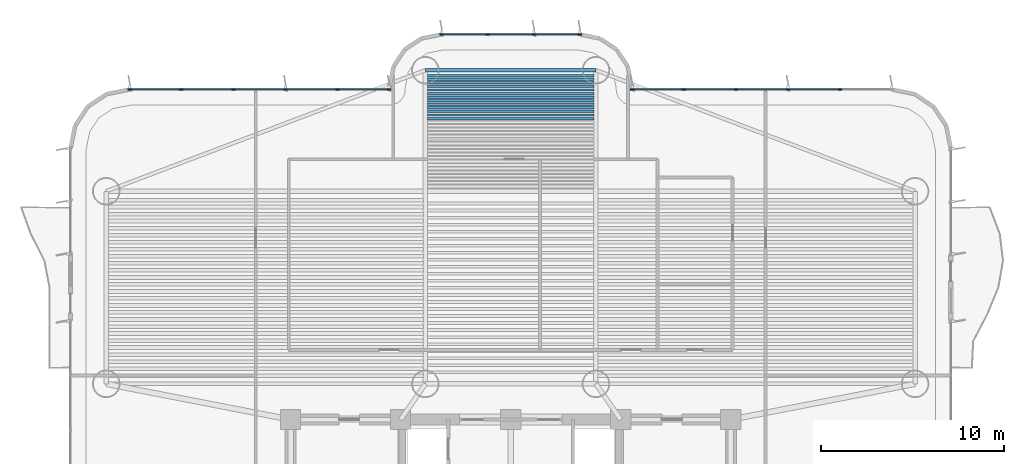
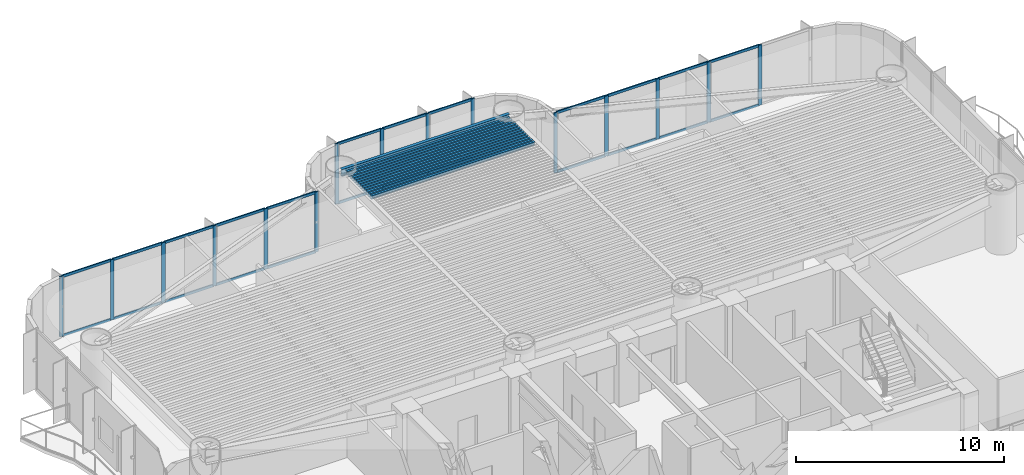
# One storey, part 7 of 16: 39 members, 14 beams, 3 elements without a shape of their own.
"""IFC4 building model written with IfcOpenShell, lengths in metres."""

from ifc_helpers import new_model, si_unit, direction, frame, origin, origin_2d, place, context, subcontext, project, spatial, rectangle, i_section, extrude, source, transform, mapped, material, layer, layer_set, material_profile, profile_set, type_object, element, aggregate, save


model = new_model("IFC4")

# Units and contexts
model_context = context("Model", 3, precision=1e-05, world=origin(), true_north=direction((0.0, 1.0)))
body_context = subcontext(model_context, "Body", "Model", "MODEL_VIEW")
ifc_project = project(units=[si_unit("LENGTHUNIT", "METRE"), si_unit("AREAUNIT", "SQUARE_METRE"), si_unit("VOLUMEUNIT", "CUBIC_METRE"), si_unit("PLANEANGLEUNIT", "RADIAN"), si_unit("MASSUNIT", "GRAM", prefix="KILO")], contexts=[model_context])

# Site, building, storey
site_placement = place(None, origin())
site = spatial("IfcSite", under=ifc_project, at=site_placement, CompositionType="ELEMENT")
building_placement = place(site_placement, origin())
building = spatial("IfcBuilding", under=site, at=building_placement, Name="Brelvock Crest Care Tower", CompositionType="ELEMENT")
storey_placement = place(building_placement, frame((0.0, 0.0, 61.02001953125)))
storey = spatial("IfcBuildingStorey", under=building, at=storey_placement, Name="L15", CompositionType="ELEMENT", Elevation=61.02001953125)

# Beams
ifc_material_1 = material(Name="Steel Grade 350", Category="steel")
ifc_material_profile_1 = material_profile(ifc_material_1, i_section(OverallWidth=0.177978515625, OverallDepth=0.406005859375, WebThickness=0.0078125, FlangeThickness=0.0126953125, FilletRadius=0.011474609375, at=origin_2d()), Name="410UB59.7")
ifc_profile_set_1 = profile_set([ifc_material_profile_1], Name="Steel Grade 350")
beam_type_1 = type_object("IfcBeamType", Name="BM-SP1", PredefinedType="SPANDREL", material=ifc_profile_set_1)
shared_shape_1 = source(origin(), body_context, "Body", "SweptSolid", [
    extrude(i_section(OverallWidth=0.177978515625, OverallDepth=0.406005859375, WebThickness=0.0078125, FlangeThickness=0.0126953125, FilletRadius=0.011474609375, at=origin_2d()), origin(), (0.0, 0.0, 1.0), 9.2998046875),
])
beam_placement = place(storey_placement, frame((31.35009765625, 37.050048828125, 3.326904296875), z_axis=(1.0, 0.0, 0.0), x_axis=(0.0, 1.0, 0.0)))
element("IfcBeam", 1, at=beam_placement, inside=storey, type_object=beam_type_1, Name="BM-TWR-L15-08", PredefinedType="SPANDREL", context=body_context, shape_type="MappedRepresentation", body=[
    mapped(shared_shape_1, transform((0.0, 0.0, 0.0), x_axis=(1.0, 0.0, 0.0), y_axis=(0.0, 1.0, 0.0), z_axis=(0.0, 0.0, 1.0), scale=1.0)),
])
ifc_material_profile_2 = material_profile(ifc_material_1, i_section(OverallWidth=0.134033203125, OverallDepth=0.20703125, WebThickness=0.00634765625, FlangeThickness=0.009521484375, FilletRadius=0.0087890625, at=origin_2d()), Name="200UB29.8")
ifc_profile_set_2 = profile_set([ifc_material_profile_2], Name="Steel Grade 350")
beam_type_2 = type_object("IfcBeamType", Name="BM-J4", PredefinedType="JOIST", material=ifc_profile_set_2)
shared_shape_2 = source(origin(), body_context, "Body", "SweptSolid", [
    extrude(i_section(OverallWidth=0.134033203125, OverallDepth=0.20703125, WebThickness=0.00634765625, FlangeThickness=0.009521484375, FilletRadius=0.0087890625, at=origin_2d()), origin(), (0.0, 0.0, 1.0), 9.06982421875),
])
for number, where, z_axis, x_axis, name in (
    (2, (31.465087890625, 34.413330078125, 3.426513671875), (1.0, 0.0, 0.0), (0.0, 1.0, 0.0), "BM-JN-L15-20"),
    (3, (31.465087890625, 34.60791015625, 3.426513671875), (1.0, 0.0, 0.0), (0.0, 1.0, 0.0), "BM-JN-L15-21"),
    (4, (31.465087890625, 34.802734375, 3.426513671875), (1.0, 0.0, 0.0), (0.0, 1.0, 0.0), "BM-JN-L15-22"),
    (5, (31.465087890625, 34.997314453125, 3.426513671875), (1.0, 0.0, 0.0), (0.0, 1.0, 0.0), "BM-JN-L15-23"),
    (6, (31.465087890625, 35.192138671875, 3.426513671875), (1.0, 0.0, 0.0), (0.0, 1.0, 0.0), "BM-JN-L15-24"),
    (7, (31.465087890625, 35.38671875, 3.426513671875), (1.0, 0.0, 0.0), (0.0, 1.0, 0.0), "BM-JN-L15-25"),
    (8, (31.465087890625, 35.58154296875, 3.426513671875), (1.0, 0.0, 0.0), (0.0, 1.0, 0.0), "BM-JN-L15-26"),
    (9, (31.465087890625, 35.776123046875, 3.426513671875), (1.0, 0.0, 0.0), (0.0, 1.0, 0.0), "BM-JN-L15-27"),
    (10, (31.465087890625, 35.970947265625, 3.426513671875), (1.0, 0.0, 0.0), (0.0, 1.0, 0.0), "BM-JN-L15-28"),
    (11, (31.465087890625, 36.16552734375, 3.426513671875), (1.0, 0.0, 0.0), (0.0, 1.0, 0.0), "BM-JN-L15-29"),
    (12, (31.465087890625, 36.3603515625, 3.426513671875), (1.0, 0.0, 0.0), (0.0, 1.0, 0.0), "BM-JN-L15-30"),
    (13, (31.465087890625, 36.554931640625, 3.426513671875), (1.0, 0.0, 0.0), (0.0, 1.0, 0.0), "BM-JN-L15-31"),
    (14, (31.465087890625, 36.749755859375, 3.426513671875), (1.0, 0.0, 0.0), (0.0, 1.0, 0.0), "BM-JN-L15-32"),
):
    element("IfcBeam", number, at=place(storey_placement, frame(where, z_axis=z_axis, x_axis=x_axis)), inside=storey, type_object=beam_type_2, Name=name, PredefinedType="JOIST", context=body_context, shape_type="MappedRepresentation", body=[
        mapped(shared_shape_2, transform((0.0, 0.0, 0.0), x_axis=(1.0, 0.0, 0.0), y_axis=(0.0, 1.0, 0.0), z_axis=(0.0, 0.0, 1.0), scale=1.0)),
    ])

# Curtain wall, members
ifc_material_2 = material(Name="Dark Glass Double Glazed Low-E", Category="glass")
ifc_layer = layer(ifc_material_2, 0.195068359375, Name="CWS-2")
ifc_layer_set = layer_set([ifc_layer], Name="Dark Glass Double Glazed Low-E")
curtain_wall_type = type_object("IfcCurtainWallType", Name="CWS-2", PredefinedType="NOTDEFINED", material=ifc_layer_set)
curtain_wall_1_placement = place(storey_placement, origin())
curtain_wall_1 = element("IfcCurtainWall", 15, at=curtain_wall_1_placement, inside=storey, type_object=curtain_wall_type, Name="L15 Curtain Wall E18", PredefinedType="NOTDEFINED")
ifc_material_3 = material(Name="Aluminium 6063-T6", Category="aluminium")
ifc_material_profile_3 = material_profile(ifc_material_3, rectangle(XDim=0.06494140625, YDim=0.199951171875, at=origin_2d()), Name="ALU65x200")
ifc_profile_set_3 = profile_set([ifc_material_profile_3], Name="Aluminium 6063-T6")
member_type_1 = type_object("IfcMemberType", Name="CWM-1", PredefinedType="MULLION", material=ifc_profile_set_3)
shared_shape_3 = source(origin(), body_context, "Body", "SweptSolid", [
    extrude(rectangle(XDim=0.06494140625, YDim=0.199951171875, at=origin_2d()), origin(), (0.0, 0.0, 1.0), 3.530029296875),
])
member_1_placement = place(storey_placement, frame((15.232421875, 36.0, 0.0), z_axis=(0.0, 0.0, 1.0), x_axis=(0.0, 1.0, 0.0)))
member_1 = element("IfcMember", 16, at=member_1_placement, type_object=member_type_1, Name="CW-2 mullion 1", PredefinedType="MULLION", context=body_context, shape_type="MappedRepresentation", body=[
    mapped(shared_shape_3, transform((0.0, 0.0, 0.0), x_axis=(1.0, 0.0, 0.0), y_axis=(0.0, 1.0, 0.0), z_axis=(0.0, 0.0, 1.0), scale=1.0)),
])
member_2_placement = place(storey_placement, frame((18.0400390625, 36.0, 0.0), z_axis=(0.0, 0.0, 1.0), x_axis=(0.0, 1.0, 0.0)))
member_2 = element("IfcMember", 17, at=member_2_placement, type_object=member_type_1, Name="CW-2 mullion 2", PredefinedType="MULLION", context=body_context, shape_type="MappedRepresentation", body=[
    mapped(shared_shape_3, transform((0.0, 0.0, 0.0), x_axis=(1.0, 0.0, 0.0), y_axis=(0.0, 1.0, 0.0), z_axis=(0.0, 0.0, 1.0), scale=1.0)),
])
member_3_placement = place(storey_placement, frame((20.8798828125, 36.0, 0.0), z_axis=(0.0, 0.0, 1.0), x_axis=(0.0, 1.0, 0.0)))
member_3 = element("IfcMember", 18, at=member_3_placement, type_object=member_type_1, Name="CW-2 mullion 3", PredefinedType="MULLION", context=body_context, shape_type="MappedRepresentation", body=[
    mapped(shared_shape_3, transform((0.0, 0.0, 0.0), x_axis=(1.0, 0.0, 0.0), y_axis=(0.0, 1.0, 0.0), z_axis=(0.0, 0.0, 1.0), scale=1.0)),
])
member_4_placement = place(storey_placement, frame((23.719970703125, 36.0, 0.0), z_axis=(0.0, 0.0, 1.0), x_axis=(0.0, 1.0, 0.0)))
member_4 = element("IfcMember", 19, at=member_4_placement, type_object=member_type_1, Name="CW-2 mullion 4", PredefinedType="MULLION", context=body_context, shape_type="MappedRepresentation", body=[
    mapped(shared_shape_3, transform((0.0, 0.0, 0.0), x_axis=(1.0, 0.0, 0.0), y_axis=(0.0, 1.0, 0.0), z_axis=(0.0, 0.0, 1.0), scale=1.0)),
])
member_5_placement = place(storey_placement, frame((26.56005859375, 36.0, 0.0), z_axis=(0.0, 0.0, 1.0), x_axis=(0.0, 1.0, 0.0)))
member_5 = element("IfcMember", 20, at=member_5_placement, type_object=member_type_1, Name="CW-2 mullion 5", PredefinedType="MULLION", context=body_context, shape_type="MappedRepresentation", body=[
    mapped(shared_shape_3, transform((0.0, 0.0, 0.0), x_axis=(1.0, 0.0, 0.0), y_axis=(0.0, 1.0, 0.0), z_axis=(0.0, 0.0, 1.0), scale=1.0)),
])
member_6_placement = place(storey_placement, frame((29.367431640625, 36.0, 0.0), z_axis=(0.0, 0.0, 1.0), x_axis=(0.0, 1.0, 0.0)))
member_6 = element("IfcMember", 21, at=member_6_placement, type_object=member_type_1, Name="CW-2 mullion 6", PredefinedType="MULLION", context=body_context, shape_type="MappedRepresentation", body=[
    mapped(shared_shape_3, transform((0.0, 0.0, 0.0), x_axis=(1.0, 0.0, 0.0), y_axis=(0.0, 1.0, 0.0), z_axis=(0.0, 0.0, 1.0), scale=1.0)),
])

curtain_wall_2_placement = place(storey_placement, origin())
curtain_wall_2 = element("IfcCurtainWall", 22, at=curtain_wall_2_placement, inside=storey, type_object=curtain_wall_type, Name="L15 Curtain Wall E24", PredefinedType="NOTDEFINED")
member_7_placement = place(storey_placement, frame((32.232421875, 39.0, 0.0), z_axis=(0.0, 0.0, 1.0), x_axis=(0.0, 1.0, 0.0)))
member_7 = element("IfcMember", 23, at=member_7_placement, type_object=member_type_1, Name="CW-2 mullion 1", PredefinedType="MULLION", context=body_context, shape_type="MappedRepresentation", body=[
    mapped(shared_shape_3, transform((0.0, 0.0, 0.0), x_axis=(1.0, 0.0, 0.0), y_axis=(0.0, 1.0, 0.0), z_axis=(0.0, 0.0, 1.0), scale=1.0)),
])
member_8_placement = place(storey_placement, frame((34.7333984375, 39.0, 0.0), z_axis=(0.0, 0.0, 1.0), x_axis=(0.0, 1.0, 0.0)))
member_8 = element("IfcMember", 24, at=member_8_placement, type_object=member_type_1, Name="CW-2 mullion 2", PredefinedType="MULLION", context=body_context, shape_type="MappedRepresentation", body=[
    mapped(shared_shape_3, transform((0.0, 0.0, 0.0), x_axis=(1.0, 0.0, 0.0), y_axis=(0.0, 1.0, 0.0), z_axis=(0.0, 0.0, 1.0), scale=1.0)),
])
member_9_placement = place(storey_placement, frame((37.2666015625, 39.0, 0.0), z_axis=(0.0, 0.0, 1.0), x_axis=(0.0, 1.0, 0.0)))
member_9 = element("IfcMember", 25, at=member_9_placement, type_object=member_type_1, Name="CW-2 mullion 3", PredefinedType="MULLION", context=body_context, shape_type="MappedRepresentation", body=[
    mapped(shared_shape_3, transform((0.0, 0.0, 0.0), x_axis=(1.0, 0.0, 0.0), y_axis=(0.0, 1.0, 0.0), z_axis=(0.0, 0.0, 1.0), scale=1.0)),
])
member_10_placement = place(storey_placement, frame((39.767578125, 39.0, 0.0), z_axis=(0.0, 0.0, 1.0), x_axis=(0.0, 1.0, 0.0)))
member_10 = element("IfcMember", 26, at=member_10_placement, type_object=member_type_1, Name="CW-2 mullion 4", PredefinedType="MULLION", context=body_context, shape_type="MappedRepresentation", body=[
    mapped(shared_shape_3, transform((0.0, 0.0, 0.0), x_axis=(1.0, 0.0, 0.0), y_axis=(0.0, 1.0, 0.0), z_axis=(0.0, 0.0, 1.0), scale=1.0)),
])

curtain_wall_3_placement = place(storey_placement, origin())
curtain_wall_3 = element("IfcCurtainWall", 27, at=curtain_wall_3_placement, inside=storey, type_object=curtain_wall_type, Name="L15 Curtain Wall E30", PredefinedType="NOTDEFINED")
member_11_placement = place(storey_placement, frame((42.632568359375, 36.0, 0.0), z_axis=(0.0, 0.0, 1.0), x_axis=(0.0, 1.0, 0.0)))
member_11 = element("IfcMember", 28, at=member_11_placement, type_object=member_type_1, Name="CW-2 mullion 1", PredefinedType="MULLION", context=body_context, shape_type="MappedRepresentation", body=[
    mapped(shared_shape_3, transform((0.0, 0.0, 0.0), x_axis=(1.0, 0.0, 0.0), y_axis=(0.0, 1.0, 0.0), z_axis=(0.0, 0.0, 1.0), scale=1.0)),
])
member_12_placement = place(storey_placement, frame((45.43994140625, 36.0, 0.0), z_axis=(0.0, 0.0, 1.0), x_axis=(0.0, 1.0, 0.0)))
member_12 = element("IfcMember", 29, at=member_12_placement, type_object=member_type_1, Name="CW-2 mullion 2", PredefinedType="MULLION", context=body_context, shape_type="MappedRepresentation", body=[
    mapped(shared_shape_3, transform((0.0, 0.0, 0.0), x_axis=(1.0, 0.0, 0.0), y_axis=(0.0, 1.0, 0.0), z_axis=(0.0, 0.0, 1.0), scale=1.0)),
])
member_13_placement = place(storey_placement, frame((48.280029296875, 36.0, 0.0), z_axis=(0.0, 0.0, 1.0), x_axis=(0.0, 1.0, 0.0)))
member_13 = element("IfcMember", 30, at=member_13_placement, type_object=member_type_1, Name="CW-2 mullion 3", PredefinedType="MULLION", context=body_context, shape_type="MappedRepresentation", body=[
    mapped(shared_shape_3, transform((0.0, 0.0, 0.0), x_axis=(1.0, 0.0, 0.0), y_axis=(0.0, 1.0, 0.0), z_axis=(0.0, 0.0, 1.0), scale=1.0)),
])
member_14_placement = place(storey_placement, frame((51.1201171875, 36.0, 0.0), z_axis=(0.0, 0.0, 1.0), x_axis=(0.0, 1.0, 0.0)))
member_14 = element("IfcMember", 31, at=member_14_placement, type_object=member_type_1, Name="CW-2 mullion 4", PredefinedType="MULLION", context=body_context, shape_type="MappedRepresentation", body=[
    mapped(shared_shape_3, transform((0.0, 0.0, 0.0), x_axis=(1.0, 0.0, 0.0), y_axis=(0.0, 1.0, 0.0), z_axis=(0.0, 0.0, 1.0), scale=1.0)),
])
member_15_placement = place(storey_placement, frame((53.9599609375, 36.0, 0.0), z_axis=(0.0, 0.0, 1.0), x_axis=(0.0, 1.0, 0.0)))
member_15 = element("IfcMember", 32, at=member_15_placement, type_object=member_type_1, Name="CW-2 mullion 5", PredefinedType="MULLION", context=body_context, shape_type="MappedRepresentation", body=[
    mapped(shared_shape_3, transform((0.0, 0.0, 0.0), x_axis=(1.0, 0.0, 0.0), y_axis=(0.0, 1.0, 0.0), z_axis=(0.0, 0.0, 1.0), scale=1.0)),
])

# Member
ifc_material_profile_4 = material_profile(ifc_material_3, rectangle(XDim=0.06494140625, YDim=0.14990234375, at=origin_2d()), Name="ALU65x150")
ifc_profile_set_4 = profile_set([ifc_material_profile_4], Name="Aluminium 6063-T6")
member_type_2 = type_object("IfcMemberType", Name="CWT-1", PredefinedType="USERDEFINED", material=ifc_profile_set_4)
shared_shape_4 = source(origin(), body_context, "Body", "SweptSolid", [
    extrude(rectangle(XDim=0.06494140625, YDim=0.14990234375, at=origin_2d()), origin(), (0.0, 0.0, 1.0), 2.74267578125),
])
member_16_placement = place(storey_placement, frame((15.264892578125, 36.0, 0.032470703125), z_axis=(1.0, 0.0, 0.0), x_axis=(0.0, 1.0, 0.0)))
member_16 = element("IfcMember", 33, at=member_16_placement, type_object=member_type_2, Name="CW-2 transom 1.1", ObjectType="TRANSOM", PredefinedType="USERDEFINED", context=body_context, shape_type="MappedRepresentation", body=[
    mapped(shared_shape_4, transform((0.0, 0.0, 0.0), x_axis=(1.0, 0.0, 0.0), y_axis=(0.0, 1.0, 0.0), z_axis=(0.0, 0.0, 1.0), scale=1.0)),
])

member_17_placement = place(storey_placement, frame((15.264892578125, 36.0, 3.49755859375), z_axis=(1.0, 0.0, 0.0), x_axis=(0.0, 1.0, 0.0)))
member_17 = element("IfcMember", 34, at=member_17_placement, type_object=member_type_2, Name="CW-2 transom 1.2", ObjectType="TRANSOM", PredefinedType="USERDEFINED", context=body_context, shape_type="MappedRepresentation", body=[
    mapped(shared_shape_4, transform((0.0, 0.0, 0.0), x_axis=(1.0, 0.0, 0.0), y_axis=(0.0, 1.0, 0.0), z_axis=(0.0, 0.0, 1.0), scale=1.0)),
])

shared_shape_5 = source(origin(), body_context, "Body", "SweptSolid", [
    extrude(rectangle(XDim=0.06494140625, YDim=0.14990234375, at=origin_2d()), origin(), (0.0, 0.0, 1.0), 2.77490234375),
])
member_18_placement = place(storey_placement, frame((18.072509765625, 36.0, 0.032470703125), z_axis=(1.0, 0.0, 0.0), x_axis=(0.0, 1.0, 0.0)))
member_18 = element("IfcMember", 35, at=member_18_placement, type_object=member_type_2, Name="CW-2 transom 2.1", ObjectType="TRANSOM", PredefinedType="USERDEFINED", context=body_context, shape_type="MappedRepresentation", body=[
    mapped(shared_shape_5, transform((0.0, 0.0, 0.0), x_axis=(1.0, 0.0, 0.0), y_axis=(0.0, 1.0, 0.0), z_axis=(0.0, 0.0, 1.0), scale=1.0)),
])

member_19_placement = place(storey_placement, frame((18.072509765625, 36.0, 3.49755859375), z_axis=(1.0, 0.0, 0.0), x_axis=(0.0, 1.0, 0.0)))
member_19 = element("IfcMember", 36, at=member_19_placement, type_object=member_type_2, Name="CW-2 transom 2.2", ObjectType="TRANSOM", PredefinedType="USERDEFINED", context=body_context, shape_type="MappedRepresentation", body=[
    mapped(shared_shape_5, transform((0.0, 0.0, 0.0), x_axis=(1.0, 0.0, 0.0), y_axis=(0.0, 1.0, 0.0), z_axis=(0.0, 0.0, 1.0), scale=1.0)),
])

member_20_placement = place(storey_placement, frame((20.91259765625, 36.0, 0.032470703125), z_axis=(1.0, 0.0, 0.0), x_axis=(0.0, 1.0, 0.0)))
member_20 = element("IfcMember", 37, at=member_20_placement, type_object=member_type_2, Name="CW-2 transom 3.1", ObjectType="TRANSOM", PredefinedType="USERDEFINED", context=body_context, shape_type="MappedRepresentation", body=[
    mapped(shared_shape_5, transform((0.0, 0.0, 0.0), x_axis=(1.0, 0.0, 0.0), y_axis=(0.0, 1.0, 0.0), z_axis=(0.0, 0.0, 1.0), scale=1.0)),
])

member_21_placement = place(storey_placement, frame((20.91259765625, 36.0, 3.49755859375), z_axis=(1.0, 0.0, 0.0), x_axis=(0.0, 1.0, 0.0)))
member_21 = element("IfcMember", 38, at=member_21_placement, type_object=member_type_2, Name="CW-2 transom 3.2", ObjectType="TRANSOM", PredefinedType="USERDEFINED", context=body_context, shape_type="MappedRepresentation", body=[
    mapped(shared_shape_5, transform((0.0, 0.0, 0.0), x_axis=(1.0, 0.0, 0.0), y_axis=(0.0, 1.0, 0.0), z_axis=(0.0, 0.0, 1.0), scale=1.0)),
])

member_22_placement = place(storey_placement, frame((48.3125, 36.0, 0.032470703125), z_axis=(1.0, 0.0, 0.0), x_axis=(0.0, 1.0, 0.0)))
member_22 = element("IfcMember", 39, at=member_22_placement, type_object=member_type_2, Name="CW-2 transom 3.1", ObjectType="TRANSOM", PredefinedType="USERDEFINED", context=body_context, shape_type="MappedRepresentation", body=[
    mapped(shared_shape_5, transform((0.0, 0.0, 0.0), x_axis=(1.0, 0.0, 0.0), y_axis=(0.0, 1.0, 0.0), z_axis=(0.0, 0.0, 1.0), scale=1.0)),
])

member_23_placement = place(storey_placement, frame((48.3125, 36.0, 3.49755859375), z_axis=(1.0, 0.0, 0.0), x_axis=(0.0, 1.0, 0.0)))
member_23 = element("IfcMember", 40, at=member_23_placement, type_object=member_type_2, Name="CW-2 transom 3.2", ObjectType="TRANSOM", PredefinedType="USERDEFINED", context=body_context, shape_type="MappedRepresentation", body=[
    mapped(shared_shape_5, transform((0.0, 0.0, 0.0), x_axis=(1.0, 0.0, 0.0), y_axis=(0.0, 1.0, 0.0), z_axis=(0.0, 0.0, 1.0), scale=1.0)),
])

member_24_placement = place(storey_placement, frame((51.152587890625, 36.0, 0.032470703125), z_axis=(1.0, 0.0, 0.0), x_axis=(0.0, 1.0, 0.0)))
member_24 = element("IfcMember", 41, at=member_24_placement, type_object=member_type_2, Name="CW-2 transom 4.1", ObjectType="TRANSOM", PredefinedType="USERDEFINED", context=body_context, shape_type="MappedRepresentation", body=[
    mapped(shared_shape_5, transform((0.0, 0.0, 0.0), x_axis=(1.0, 0.0, 0.0), y_axis=(0.0, 1.0, 0.0), z_axis=(0.0, 0.0, 1.0), scale=1.0)),
])

member_25_placement = place(storey_placement, frame((51.152587890625, 36.0, 3.49755859375), z_axis=(1.0, 0.0, 0.0), x_axis=(0.0, 1.0, 0.0)))
member_25 = element("IfcMember", 42, at=member_25_placement, type_object=member_type_2, Name="CW-2 transom 4.2", ObjectType="TRANSOM", PredefinedType="USERDEFINED", context=body_context, shape_type="MappedRepresentation", body=[
    mapped(shared_shape_5, transform((0.0, 0.0, 0.0), x_axis=(1.0, 0.0, 0.0), y_axis=(0.0, 1.0, 0.0), z_axis=(0.0, 0.0, 1.0), scale=1.0)),
])

shared_shape_6 = source(origin(), body_context, "Body", "SweptSolid", [
    extrude(rectangle(XDim=0.06494140625, YDim=0.14990234375, at=origin_2d()), origin(), (0.0, 0.0, 1.0), 2.775146484375),
])
member_26_placement = place(storey_placement, frame((23.75244140625, 36.0, 0.032470703125), z_axis=(1.0, 0.0, 0.0), x_axis=(0.0, 1.0, 0.0)))
member_26 = element("IfcMember", 43, at=member_26_placement, type_object=member_type_2, Name="CW-2 transom 4.1", ObjectType="TRANSOM", PredefinedType="USERDEFINED", context=body_context, shape_type="MappedRepresentation", body=[
    mapped(shared_shape_6, transform((0.0, 0.0, 0.0), x_axis=(1.0, 0.0, 0.0), y_axis=(0.0, 1.0, 0.0), z_axis=(0.0, 0.0, 1.0), scale=1.0)),
])

member_27_placement = place(storey_placement, frame((23.75244140625, 36.0, 3.49755859375), z_axis=(1.0, 0.0, 0.0), x_axis=(0.0, 1.0, 0.0)))
member_27 = element("IfcMember", 44, at=member_27_placement, type_object=member_type_2, Name="CW-2 transom 4.2", ObjectType="TRANSOM", PredefinedType="USERDEFINED", context=body_context, shape_type="MappedRepresentation", body=[
    mapped(shared_shape_6, transform((0.0, 0.0, 0.0), x_axis=(1.0, 0.0, 0.0), y_axis=(0.0, 1.0, 0.0), z_axis=(0.0, 0.0, 1.0), scale=1.0)),
])

member_28_placement = place(storey_placement, frame((45.472412109375, 36.0, 0.032470703125), z_axis=(1.0, 0.0, 0.0), x_axis=(0.0, 1.0, 0.0)))
member_28 = element("IfcMember", 45, at=member_28_placement, type_object=member_type_2, Name="CW-2 transom 2.1", ObjectType="TRANSOM", PredefinedType="USERDEFINED", context=body_context, shape_type="MappedRepresentation", body=[
    mapped(shared_shape_6, transform((0.0, 0.0, 0.0), x_axis=(1.0, 0.0, 0.0), y_axis=(0.0, 1.0, 0.0), z_axis=(0.0, 0.0, 1.0), scale=1.0)),
])

member_29_placement = place(storey_placement, frame((45.472412109375, 36.0, 3.49755859375), z_axis=(1.0, 0.0, 0.0), x_axis=(0.0, 1.0, 0.0)))
member_29 = element("IfcMember", 46, at=member_29_placement, type_object=member_type_2, Name="CW-2 transom 2.2", ObjectType="TRANSOM", PredefinedType="USERDEFINED", context=body_context, shape_type="MappedRepresentation", body=[
    mapped(shared_shape_6, transform((0.0, 0.0, 0.0), x_axis=(1.0, 0.0, 0.0), y_axis=(0.0, 1.0, 0.0), z_axis=(0.0, 0.0, 1.0), scale=1.0)),
])

shared_shape_7 = source(origin(), body_context, "Body", "SweptSolid", [
    extrude(rectangle(XDim=0.06494140625, YDim=0.14990234375, at=origin_2d()), origin(), (0.0, 0.0, 1.0), 2.742431640625),
])
member_30_placement = place(storey_placement, frame((26.592529296875, 36.0, 0.032470703125), z_axis=(1.0, 0.0, 0.0), x_axis=(0.0, 1.0, 0.0)))
member_30 = element("IfcMember", 47, at=member_30_placement, type_object=member_type_2, Name="CW-2 transom 5.1", ObjectType="TRANSOM", PredefinedType="USERDEFINED", context=body_context, shape_type="MappedRepresentation", body=[
    mapped(shared_shape_7, transform((0.0, 0.0, 0.0), x_axis=(1.0, 0.0, 0.0), y_axis=(0.0, 1.0, 0.0), z_axis=(0.0, 0.0, 1.0), scale=1.0)),
])

member_31_placement = place(storey_placement, frame((26.592529296875, 36.0, 3.49755859375), z_axis=(1.0, 0.0, 0.0), x_axis=(0.0, 1.0, 0.0)))
member_31 = element("IfcMember", 48, at=member_31_placement, type_object=member_type_2, Name="CW-2 transom 5.2", ObjectType="TRANSOM", PredefinedType="USERDEFINED", context=body_context, shape_type="MappedRepresentation", body=[
    mapped(shared_shape_7, transform((0.0, 0.0, 0.0), x_axis=(1.0, 0.0, 0.0), y_axis=(0.0, 1.0, 0.0), z_axis=(0.0, 0.0, 1.0), scale=1.0)),
])

aggregate(curtain_wall_1, [member_1, member_2, member_3, member_4, member_5, member_6, member_16, member_17, member_18, member_19, member_20, member_21, member_26, member_27, member_30, member_31])

member_32_placement = place(storey_placement, frame((42.6650390625, 36.0, 0.032470703125), z_axis=(1.0, 0.0, 0.0), x_axis=(0.0, 1.0, 0.0)))
member_32 = element("IfcMember", 49, at=member_32_placement, type_object=member_type_2, Name="CW-2 transom 1.1", ObjectType="TRANSOM", PredefinedType="USERDEFINED", context=body_context, shape_type="MappedRepresentation", body=[
    mapped(shared_shape_7, transform((0.0, 0.0, 0.0), x_axis=(1.0, 0.0, 0.0), y_axis=(0.0, 1.0, 0.0), z_axis=(0.0, 0.0, 1.0), scale=1.0)),
])

member_33_placement = place(storey_placement, frame((42.6650390625, 36.0, 3.49755859375), z_axis=(1.0, 0.0, 0.0), x_axis=(0.0, 1.0, 0.0)))
member_33 = element("IfcMember", 50, at=member_33_placement, type_object=member_type_2, Name="CW-2 transom 1.2", ObjectType="TRANSOM", PredefinedType="USERDEFINED", context=body_context, shape_type="MappedRepresentation", body=[
    mapped(shared_shape_7, transform((0.0, 0.0, 0.0), x_axis=(1.0, 0.0, 0.0), y_axis=(0.0, 1.0, 0.0), z_axis=(0.0, 0.0, 1.0), scale=1.0)),
])

aggregate(curtain_wall_3, [member_11, member_12, member_13, member_14, member_15, member_32, member_33, member_28, member_29, member_22, member_23, member_24, member_25])

shared_shape_8 = source(origin(), body_context, "Body", "SweptSolid", [
    extrude(rectangle(XDim=0.06494140625, YDim=0.14990234375, at=origin_2d()), origin(), (0.0, 0.0, 1.0), 2.43603515625),
])
member_34_placement = place(storey_placement, frame((32.264892578125, 39.0, 0.032470703125), z_axis=(1.0, 0.0, 0.0), x_axis=(0.0, 1.0, 0.0)))
member_34 = element("IfcMember", 51, at=member_34_placement, type_object=member_type_2, Name="CW-2 transom 1.1", ObjectType="TRANSOM", PredefinedType="USERDEFINED", context=body_context, shape_type="MappedRepresentation", body=[
    mapped(shared_shape_8, transform((0.0, 0.0, 0.0), x_axis=(1.0, 0.0, 0.0), y_axis=(0.0, 1.0, 0.0), z_axis=(0.0, 0.0, 1.0), scale=1.0)),
])

member_35_placement = place(storey_placement, frame((32.264892578125, 39.0, 3.49755859375), z_axis=(1.0, 0.0, 0.0), x_axis=(0.0, 1.0, 0.0)))
member_35 = element("IfcMember", 52, at=member_35_placement, type_object=member_type_2, Name="CW-2 transom 1.2", ObjectType="TRANSOM", PredefinedType="USERDEFINED", context=body_context, shape_type="MappedRepresentation", body=[
    mapped(shared_shape_8, transform((0.0, 0.0, 0.0), x_axis=(1.0, 0.0, 0.0), y_axis=(0.0, 1.0, 0.0), z_axis=(0.0, 0.0, 1.0), scale=1.0)),
])

member_36_placement = place(storey_placement, frame((37.299072265625, 39.0, 0.032470703125), z_axis=(1.0, 0.0, 0.0), x_axis=(0.0, 1.0, 0.0)))
member_36 = element("IfcMember", 53, at=member_36_placement, type_object=member_type_2, Name="CW-2 transom 3.1", ObjectType="TRANSOM", PredefinedType="USERDEFINED", context=body_context, shape_type="MappedRepresentation", body=[
    mapped(shared_shape_8, transform((0.0, 0.0, 0.0), x_axis=(1.0, 0.0, 0.0), y_axis=(0.0, 1.0, 0.0), z_axis=(0.0, 0.0, 1.0), scale=1.0)),
])

member_37_placement = place(storey_placement, frame((37.299072265625, 39.0, 3.49755859375), z_axis=(1.0, 0.0, 0.0), x_axis=(0.0, 1.0, 0.0)))
member_37 = element("IfcMember", 54, at=member_37_placement, type_object=member_type_2, Name="CW-2 transom 3.2", ObjectType="TRANSOM", PredefinedType="USERDEFINED", context=body_context, shape_type="MappedRepresentation", body=[
    mapped(shared_shape_8, transform((0.0, 0.0, 0.0), x_axis=(1.0, 0.0, 0.0), y_axis=(0.0, 1.0, 0.0), z_axis=(0.0, 0.0, 1.0), scale=1.0)),
])

shared_shape_9 = source(origin(), body_context, "Body", "SweptSolid", [
    extrude(rectangle(XDim=0.06494140625, YDim=0.14990234375, at=origin_2d()), origin(), (0.0, 0.0, 1.0), 2.46826171875),
])
member_38_placement = place(storey_placement, frame((34.765869140625, 39.0, 0.032470703125), z_axis=(1.0, 0.0, 0.0), x_axis=(0.0, 1.0, 0.0)))
member_38 = element("IfcMember", 55, at=member_38_placement, type_object=member_type_2, Name="CW-2 transom 2.1", ObjectType="TRANSOM", PredefinedType="USERDEFINED", context=body_context, shape_type="MappedRepresentation", body=[
    mapped(shared_shape_9, transform((0.0, 0.0, 0.0), x_axis=(1.0, 0.0, 0.0), y_axis=(0.0, 1.0, 0.0), z_axis=(0.0, 0.0, 1.0), scale=1.0)),
])

member_39_placement = place(storey_placement, frame((34.765869140625, 39.0, 3.49755859375), z_axis=(1.0, 0.0, 0.0), x_axis=(0.0, 1.0, 0.0)))
member_39 = element("IfcMember", 56, at=member_39_placement, type_object=member_type_2, Name="CW-2 transom 2.2", ObjectType="TRANSOM", PredefinedType="USERDEFINED", context=body_context, shape_type="MappedRepresentation", body=[
    mapped(shared_shape_9, transform((0.0, 0.0, 0.0), x_axis=(1.0, 0.0, 0.0), y_axis=(0.0, 1.0, 0.0), z_axis=(0.0, 0.0, 1.0), scale=1.0)),
])

aggregate(curtain_wall_2, [member_7, member_8, member_9, member_10, member_34, member_35, member_38, member_39, member_36, member_37])

save(model, "model.ifc")
